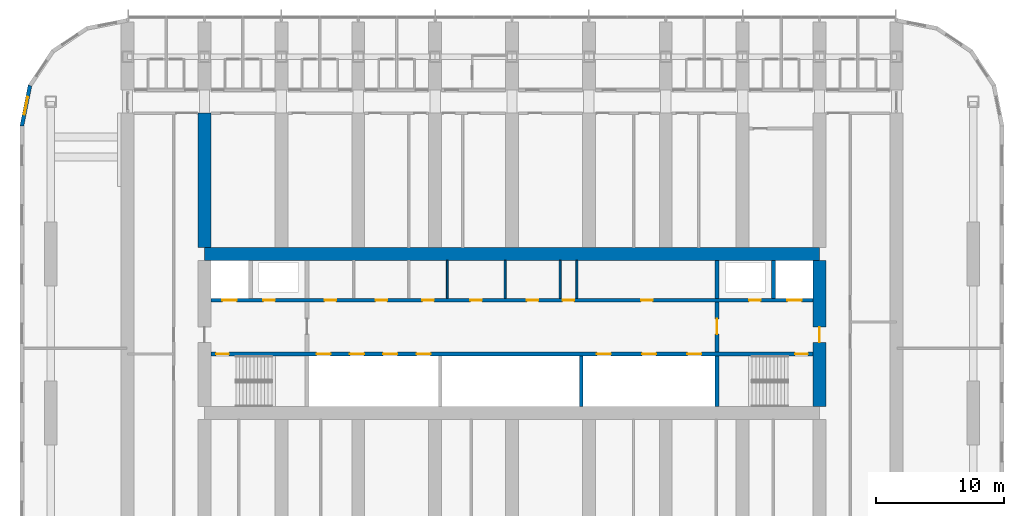
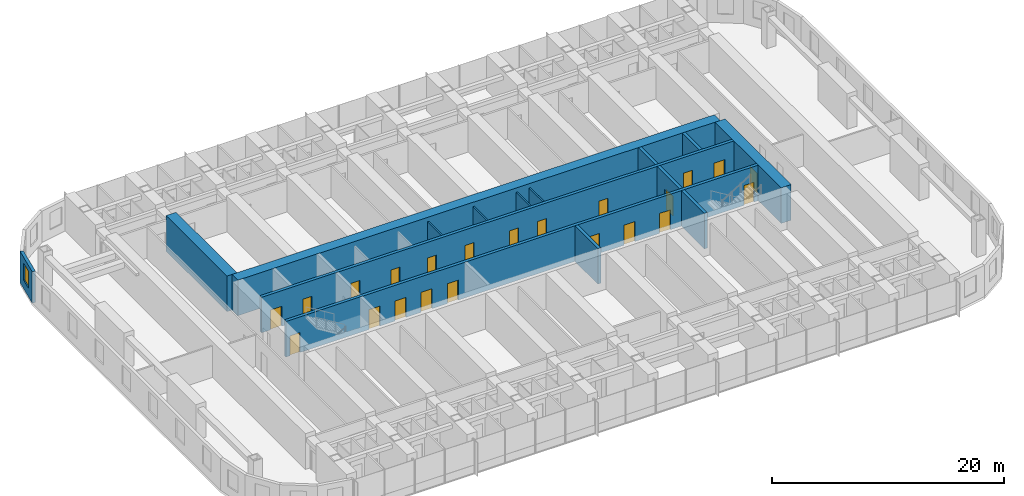
# One storey, part 14 of 24: 22 doors, 15 walls, 1 window, 23 openings.
"""IFC4 building model written with IfcOpenShell, lengths in metres."""

from ifc_helpers import new_model, si_unit, direction, frame, frame_2d, origin, place, context, subcontext, project, spatial, polyline, rectangle, outline, extrude, material, layer, layer_set, type_object, element, fill, save


model = new_model("IFC4")

# Units and contexts
model_context = context("Model", 3, precision=1e-05, world=origin(), true_north=direction((0.0, 1.0)))
body_context = subcontext(model_context, "Body", "Model", "MODEL_VIEW")
ifc_project = project(units=[si_unit("LENGTHUNIT", "METRE"), si_unit("AREAUNIT", "SQUARE_METRE"), si_unit("VOLUMEUNIT", "CUBIC_METRE"), si_unit("PLANEANGLEUNIT", "RADIAN"), si_unit("MASSUNIT", "GRAM", prefix="KILO")], contexts=[model_context])

# Site, building, storey
site_placement = place(None, origin())
site = spatial("IfcSite", under=ifc_project, at=site_placement, CompositionType="ELEMENT")
building_placement = place(site_placement, origin())
building = spatial("IfcBuilding", under=site, at=building_placement, Name="Orbita Commons", CompositionType="ELEMENT")
storey_placement = place(building_placement, frame((0.0, 0.0, 35.199951171875)))
storey = spatial("IfcBuildingStorey", under=building, at=storey_placement, Name="L08", CompositionType="ELEMENT", Elevation=35.199951171875)

# Wall, openings, doors
ifc_material_1 = material(Name="Concrete C50/60", Category="concrete")
ifc_layer_1 = layer(ifc_material_1, 0.300048828125)
ifc_layer_set_1 = layer_set([ifc_layer_1], Name="Concrete C50/60")
wall_type_1 = type_object("IfcWallType", Name="Core inner wall 300 C50/60", PredefinedType="SHEAR", material=ifc_layer_set_1)
wall_1_placement = place(storey_placement, frame((18.5, 30.39990234375, 0.0), z_axis=(0.0, 0.0, 1.0), x_axis=(1.0, 0.0, 0.0)))
wall_1 = element("IfcWall", 1, at=wall_1_placement, inside=storey, type_object=wall_type_1, Name="Lobby wall south L08", PredefinedType="SHEAR", context=body_context, shape_type="SweptSolid", body=[
    extrude(rectangle(XDim=47.0, YDim=0.300048828125, at=frame_2d((23.5, 0.0))), origin(), (0.0, 0.0, 1.0), 3.75),
])
opening_1_placement = place(wall_1_placement, frame((0.39990234375, 0.0, 0.0)))
opening_1 = element("IfcOpeningElement", 2, at=opening_1_placement, cuts=wall_1, Name="Opening D02", PredefinedType="OPENING", context=body_context, shape_type="SweptSolid", body=[
    extrude(rectangle(XDim=1.0, YDim=2.10009765625, at=frame_2d((0.5, 1.050048828125))), frame((0.0, 0.159912109375, 0.0), z_axis=(0.0, -1.0, 0.0), x_axis=(1.0, 0.0, 0.0)), (0.0, 0.0, 1.0), 0.320068359375),
])
opening_2_placement = place(wall_1_placement, frame((45.60009765625, 0.0, 0.0)))
opening_2 = element("IfcOpeningElement", 3, at=opening_2_placement, cuts=wall_1, Name="Opening D02", PredefinedType="OPENING", context=body_context, shape_type="SweptSolid", body=[
    extrude(rectangle(XDim=1.0, YDim=2.10009765625, at=frame_2d((0.5, 1.050048828125))), frame((0.0, 0.159912109375, 0.0), z_axis=(0.0, -1.0, 0.0), x_axis=(1.0, 0.0, 0.0)), (0.0, 0.0, 1.0), 0.320068359375),
])
opening_3_placement = place(wall_1_placement, frame((8.25, 0.0, 0.0)))
opening_3 = element("IfcOpeningElement", 4, at=opening_3_placement, cuts=wall_1, Name="Opening LD02", PredefinedType="OPENING", context=body_context, shape_type="SweptSolid", body=[
    extrude(rectangle(XDim=1.10009765625, YDim=2.10009765625, at=frame_2d((0.550048828125, 1.050048828125))), frame((0.0, 0.159912109375, 0.0), z_axis=(0.0, -1.0, 0.0), x_axis=(1.0, 0.0, 0.0)), (0.0, 0.0, 1.0), 0.320068359375),
])
opening_4_placement = place(wall_1_placement, frame((10.85009765625, 0.0, 0.0)))
opening_4 = element("IfcOpeningElement", 5, at=opening_4_placement, cuts=wall_1, Name="Opening LD02", PredefinedType="OPENING", context=body_context, shape_type="SweptSolid", body=[
    extrude(rectangle(XDim=1.10009765625, YDim=2.10009765625, at=frame_2d((0.550048828125, 1.050048828125))), frame((0.0, 0.159912109375, 0.0), z_axis=(0.0, -1.0, 0.0), x_axis=(1.0, 0.0, 0.0)), (0.0, 0.0, 1.0), 0.320068359375),
])
opening_5_placement = place(wall_1_placement, frame((13.449951171875, 0.0, 0.0)))
opening_5 = element("IfcOpeningElement", 6, at=opening_5_placement, cuts=wall_1, Name="Opening LD02", PredefinedType="OPENING", context=body_context, shape_type="SweptSolid", body=[
    extrude(rectangle(XDim=1.10009765625, YDim=2.10009765625, at=frame_2d((0.550048828125, 1.050048828125))), frame((0.0, 0.159912109375, 0.0), z_axis=(0.0, -1.0, 0.0), x_axis=(1.0, 0.0, 0.0)), (0.0, 0.0, 1.0), 0.320068359375),
])
opening_6_placement = place(wall_1_placement, frame((16.050048828125, 0.0, 0.0)))
opening_6 = element("IfcOpeningElement", 7, at=opening_6_placement, cuts=wall_1, Name="Opening LD02", PredefinedType="OPENING", context=body_context, shape_type="SweptSolid", body=[
    extrude(rectangle(XDim=1.10009765625, YDim=2.10009765625, at=frame_2d((0.550048828125, 1.050048828125))), frame((0.0, 0.159912109375, 0.0), z_axis=(0.0, -1.0, 0.0), x_axis=(1.0, 0.0, 0.0)), (0.0, 0.0, 1.0), 0.320068359375),
])
opening_7_placement = place(wall_1_placement, frame((30.11669921875, 0.0, 0.0)))
opening_7 = element("IfcOpeningElement", 8, at=opening_7_placement, cuts=wall_1, Name="Opening LD02", PredefinedType="OPENING", context=body_context, shape_type="SweptSolid", body=[
    extrude(rectangle(XDim=1.10009765625, YDim=2.10009765625, at=frame_2d((0.550048828125, 1.050048828125))), frame((0.0, 0.159912109375, 0.0), z_axis=(0.0, -1.0, 0.0), x_axis=(1.0, 0.0, 0.0)), (0.0, 0.0, 1.0), 0.320068359375),
])
opening_8_placement = place(wall_1_placement, frame((33.64990234375, 0.0, 0.0)))
opening_8 = element("IfcOpeningElement", 9, at=opening_8_placement, cuts=wall_1, Name="Opening LD02", PredefinedType="OPENING", context=body_context, shape_type="SweptSolid", body=[
    extrude(rectangle(XDim=1.10009765625, YDim=2.10009765625, at=frame_2d((0.550048828125, 1.050048828125))), frame((0.0, 0.159912109375, 0.0), z_axis=(0.0, -1.0, 0.0), x_axis=(1.0, 0.0, 0.0)), (0.0, 0.0, 1.0), 0.320068359375),
])
opening_9_placement = place(wall_1_placement, frame((37.183349609375, 0.0, 0.0)))
opening_9 = element("IfcOpeningElement", 10, at=opening_9_placement, cuts=wall_1, Name="Opening LD02", PredefinedType="OPENING", context=body_context, shape_type="SweptSolid", body=[
    extrude(rectangle(XDim=1.10009765625, YDim=2.10009765625, at=frame_2d((0.550048828125, 1.050048828125))), frame((0.0, 0.159912109375, 0.0), z_axis=(0.0, -1.0, 0.0), x_axis=(1.0, 0.0, 0.0)), (0.0, 0.0, 1.0), 0.320068359375),
])
ifc_material_2 = material(Name="Steel-faced fire door leaf", Category="steel")
door_type_1 = type_object("IfcDoorType", Name="Fire door 90 min 1000x2100", OperationType="SINGLE_SWING_LEFT", PredefinedType="DOOR", material=ifc_material_2)
door_1_placement = place(opening_1_placement, origin())
door_1 = element("IfcDoor", 11, at=door_1_placement, inside=storey, type_object=door_type_1, Name="Stair S1 door", OperationType="SINGLE_SWING_LEFT", OverallHeight=2.10009765625, OverallWidth=1.0, PredefinedType="DOOR", context=body_context, shape_type="SweptSolid", body=[
    extrude(rectangle(XDim=1.0, YDim=2.10009765625, at=frame_2d((0.5, 1.050048828125))), frame((0.0, 0.02490234375, 0.0), z_axis=(0.0, -1.0, 0.0), x_axis=(1.0, 0.0, 0.0)), (0.0, 0.0, 1.0), 0.050048828125),
])
fill(opening_1, door_1)
door_2_placement = place(opening_2_placement, origin())
door_2 = element("IfcDoor", 12, at=door_2_placement, inside=storey, type_object=door_type_1, Name="Stair S2 door", OperationType="SINGLE_SWING_LEFT", OverallHeight=2.10009765625, OverallWidth=1.0, PredefinedType="DOOR", context=body_context, shape_type="SweptSolid", body=[
    extrude(rectangle(XDim=1.0, YDim=2.10009765625, at=frame_2d((0.5, 1.050048828125))), frame((0.0, 0.02490234375, 0.0), z_axis=(0.0, -1.0, 0.0), x_axis=(1.0, 0.0, 0.0)), (0.0, 0.0, 1.0), 0.050048828125),
])
fill(opening_2, door_2)
ifc_material_3 = material(Name="Steel-faced fire door leaf", Category="steel")
door_type_2 = type_object("IfcDoorType", Name="Lift landing door 1100x2100", OperationType="DOUBLE_DOOR_SLIDING", PredefinedType="DOOR", material=ifc_material_3)
door_3_placement = place(opening_3_placement, origin())
door_3 = element("IfcDoor", 13, at=door_3_placement, inside=storey, type_object=door_type_2, Name="Lift P11 landing door", OperationType="DOUBLE_DOOR_SLIDING", OverallHeight=2.10009765625, OverallWidth=1.10009765625, PredefinedType="DOOR", context=body_context, shape_type="SweptSolid", body=[
    extrude(rectangle(XDim=1.10009765625, YDim=2.10009765625, at=frame_2d((0.550048828125, 1.050048828125))), frame((0.0, 0.02490234375, 0.0), z_axis=(0.0, -1.0, 0.0), x_axis=(1.0, 0.0, 0.0)), (0.0, 0.0, 1.0), 0.050048828125),
])
fill(opening_3, door_3)
door_4_placement = place(opening_4_placement, origin())
door_4 = element("IfcDoor", 14, at=door_4_placement, inside=storey, type_object=door_type_2, Name="Lift P12 landing door", OperationType="DOUBLE_DOOR_SLIDING", OverallHeight=2.10009765625, OverallWidth=1.10009765625, PredefinedType="DOOR", context=body_context, shape_type="SweptSolid", body=[
    extrude(rectangle(XDim=1.10009765625, YDim=2.10009765625, at=frame_2d((0.550048828125, 1.050048828125))), frame((0.0, 0.02490234375, 0.0), z_axis=(0.0, -1.0, 0.0), x_axis=(1.0, 0.0, 0.0)), (0.0, 0.0, 1.0), 0.050048828125),
])
fill(opening_4, door_4)
door_5_placement = place(opening_5_placement, origin())
door_5 = element("IfcDoor", 15, at=door_5_placement, inside=storey, type_object=door_type_2, Name="Lift P13 landing door", OperationType="DOUBLE_DOOR_SLIDING", OverallHeight=2.10009765625, OverallWidth=1.10009765625, PredefinedType="DOOR", context=body_context, shape_type="SweptSolid", body=[
    extrude(rectangle(XDim=1.10009765625, YDim=2.10009765625, at=frame_2d((0.550048828125, 1.050048828125))), frame((0.0, 0.02490234375, 0.0), z_axis=(0.0, -1.0, 0.0), x_axis=(1.0, 0.0, 0.0)), (0.0, 0.0, 1.0), 0.050048828125),
])
fill(opening_5, door_5)
door_6_placement = place(opening_6_placement, origin())
door_6 = element("IfcDoor", 16, at=door_6_placement, inside=storey, type_object=door_type_2, Name="Lift P14 landing door", OperationType="DOUBLE_DOOR_SLIDING", OverallHeight=2.10009765625, OverallWidth=1.10009765625, PredefinedType="DOOR", context=body_context, shape_type="SweptSolid", body=[
    extrude(rectangle(XDim=1.10009765625, YDim=2.10009765625, at=frame_2d((0.550048828125, 1.050048828125))), frame((0.0, 0.02490234375, 0.0), z_axis=(0.0, -1.0, 0.0), x_axis=(1.0, 0.0, 0.0)), (0.0, 0.0, 1.0), 0.050048828125),
])
fill(opening_6, door_6)
door_7_placement = place(opening_7_placement, origin())
door_7 = element("IfcDoor", 17, at=door_7_placement, inside=storey, type_object=door_type_2, Name="Lift SV1 landing door", OperationType="DOUBLE_DOOR_SLIDING", OverallHeight=2.10009765625, OverallWidth=1.10009765625, PredefinedType="DOOR", context=body_context, shape_type="SweptSolid", body=[
    extrude(rectangle(XDim=1.10009765625, YDim=2.10009765625, at=frame_2d((0.550048828125, 1.050048828125))), frame((0.0, 0.02490234375, 0.0), z_axis=(0.0, -1.0, 0.0), x_axis=(1.0, 0.0, 0.0)), (0.0, 0.0, 1.0), 0.050048828125),
])
fill(opening_7, door_7)
door_8_placement = place(opening_8_placement, origin())
door_8 = element("IfcDoor", 18, at=door_8_placement, inside=storey, type_object=door_type_2, Name="Lift SV2 landing door", OperationType="DOUBLE_DOOR_SLIDING", OverallHeight=2.10009765625, OverallWidth=1.10009765625, PredefinedType="DOOR", context=body_context, shape_type="SweptSolid", body=[
    extrude(rectangle(XDim=1.10009765625, YDim=2.10009765625, at=frame_2d((0.550048828125, 1.050048828125))), frame((0.0, 0.02490234375, 0.0), z_axis=(0.0, -1.0, 0.0), x_axis=(1.0, 0.0, 0.0)), (0.0, 0.0, 1.0), 0.050048828125),
])
fill(opening_8, door_8)
door_9_placement = place(opening_9_placement, origin())
door_9 = element("IfcDoor", 19, at=door_9_placement, inside=storey, type_object=door_type_2, Name="Lift SV3 landing door", OperationType="DOUBLE_DOOR_SLIDING", OverallHeight=2.10009765625, OverallWidth=1.10009765625, PredefinedType="DOOR", context=body_context, shape_type="SweptSolid", body=[
    extrude(rectangle(XDim=1.10009765625, YDim=2.10009765625, at=frame_2d((0.550048828125, 1.050048828125))), frame((0.0, 0.02490234375, 0.0), z_axis=(0.0, -1.0, 0.0), x_axis=(1.0, 0.0, 0.0)), (0.0, 0.0, 1.0), 0.050048828125),
])
fill(opening_9, door_9)

wall_2_placement = place(storey_placement, frame((18.5, 34.60009765625, 0.0), z_axis=(0.0, 0.0, 1.0), x_axis=(1.0, 0.0, 0.0)))
wall_2 = element("IfcWall", 20, at=wall_2_placement, inside=storey, type_object=wall_type_1, Name="Lobby wall north L08", PredefinedType="SHEAR", context=body_context, shape_type="SweptSolid", body=[
    extrude(rectangle(XDim=47.0, YDim=0.300048828125, at=frame_2d((23.5, 0.0))), origin(), (0.0, 0.0, 1.0), 3.75),
])
opening_10_placement = place(wall_2_placement, frame((0.89990234375, 0.0, 0.0)))
opening_10 = element("IfcOpeningElement", 21, at=opening_10_placement, cuts=wall_2, Name="Opening LD01", PredefinedType="OPENING", context=body_context, shape_type="SweptSolid", body=[
    extrude(rectangle(XDim=1.10009765625, YDim=2.10009765625, at=frame_2d((0.550048828125, 1.050048828125))), frame((0.0, 0.159912109375, 0.0), z_axis=(0.0, -1.0, 0.0), x_axis=(1.0, 0.0, 0.0)), (0.0, 0.0, 1.0), 0.320068359375),
])
opening_11_placement = place(wall_2_placement, frame((45.0, 0.0, 0.0)))
opening_11 = element("IfcOpeningElement", 22, at=opening_11_placement, cuts=wall_2, Name="Opening LD01", PredefinedType="OPENING", context=body_context, shape_type="SweptSolid", body=[
    extrude(rectangle(XDim=1.10009765625, YDim=2.10009765625, at=frame_2d((0.550048828125, 1.050048828125))), frame((0.0, 0.159912109375, 0.0), z_axis=(0.0, -1.0, 0.0), x_axis=(1.0, 0.0, 0.0)), (0.0, 0.0, 1.0), 0.320068359375),
])
opening_12_placement = place(wall_2_placement, frame((4.10009765625, 0.0, 0.0)))
opening_12 = element("IfcOpeningElement", 23, at=opening_12_placement, cuts=wall_2, Name="Opening D03", PredefinedType="OPENING", context=body_context, shape_type="SweptSolid", body=[
    extrude(rectangle(XDim=0.89990234375, YDim=2.10009765625, at=frame_2d((0.449951171875, 1.050048828125))), frame((0.0, 0.159912109375, 0.0), z_axis=(0.0, -1.0, 0.0), x_axis=(1.0, 0.0, 0.0)), (0.0, 0.0, 1.0), 0.320068359375),
])
opening_13_placement = place(wall_2_placement, frame((42.0, 0.0, 0.0)))
opening_13 = element("IfcOpeningElement", 24, at=opening_13_placement, cuts=wall_2, Name="Opening D03", PredefinedType="OPENING", context=body_context, shape_type="SweptSolid", body=[
    extrude(rectangle(XDim=0.89990234375, YDim=2.10009765625, at=frame_2d((0.449951171875, 1.050048828125))), frame((0.0, 0.159912109375, 0.0), z_axis=(0.0, -1.0, 0.0), x_axis=(1.0, 0.0, 0.0)), (0.0, 0.0, 1.0), 0.320068359375),
])
opening_14_placement = place(wall_2_placement, frame((8.87548828125, 0.0, 0.0)))
opening_14 = element("IfcOpeningElement", 25, at=opening_14_placement, cuts=wall_2, Name="Opening D05", PredefinedType="OPENING", context=body_context, shape_type="SweptSolid", body=[
    extrude(rectangle(XDim=0.89990234375, YDim=2.10009765625, at=frame_2d((0.449951171875, 1.050048828125))), frame((0.0, 0.159912109375, 0.0), z_axis=(0.0, -1.0, 0.0), x_axis=(1.0, 0.0, 0.0)), (0.0, 0.0, 1.0), 0.320068359375),
])
opening_15_placement = place(wall_2_placement, frame((12.8486328125, 0.0, 0.0)))
opening_15 = element("IfcOpeningElement", 26, at=opening_15_placement, cuts=wall_2, Name="Opening D03", PredefinedType="OPENING", context=body_context, shape_type="SweptSolid", body=[
    extrude(rectangle(XDim=0.89990234375, YDim=2.10009765625, at=frame_2d((0.449951171875, 1.050048828125))), frame((0.0, 0.159912109375, 0.0), z_axis=(0.0, -1.0, 0.0), x_axis=(1.0, 0.0, 0.0)), (0.0, 0.0, 1.0), 0.320068359375),
])
opening_16_placement = place(wall_2_placement, frame((16.496337890625, 0.0, 0.0)))
opening_16 = element("IfcOpeningElement", 27, at=opening_16_placement, cuts=wall_2, Name="Opening D03", PredefinedType="OPENING", context=body_context, shape_type="SweptSolid", body=[
    extrude(rectangle(XDim=0.89990234375, YDim=2.10009765625, at=frame_2d((0.449951171875, 1.050048828125))), frame((0.0, 0.159912109375, 0.0), z_axis=(0.0, -1.0, 0.0), x_axis=(1.0, 0.0, 0.0)), (0.0, 0.0, 1.0), 0.320068359375),
])
opening_17_placement = place(wall_2_placement, frame((20.254638671875, 0.0, 0.0)))
opening_17 = element("IfcOpeningElement", 28, at=opening_17_placement, cuts=wall_2, Name="Opening D05", PredefinedType="OPENING", context=body_context, shape_type="SweptSolid", body=[
    extrude(rectangle(XDim=0.89990234375, YDim=2.10009765625, at=frame_2d((0.449951171875, 1.050048828125))), frame((0.0, 0.159912109375, 0.0), z_axis=(0.0, -1.0, 0.0), x_axis=(1.0, 0.0, 0.0)), (0.0, 0.0, 1.0), 0.320068359375),
])
opening_18_placement = place(wall_2_placement, frame((24.66064453125, 0.0, 0.0)))
opening_18 = element("IfcOpeningElement", 29, at=opening_18_placement, cuts=wall_2, Name="Opening D03", PredefinedType="OPENING", context=body_context, shape_type="SweptSolid", body=[
    extrude(rectangle(XDim=0.89990234375, YDim=2.10009765625, at=frame_2d((0.449951171875, 1.050048828125))), frame((0.0, 0.159912109375, 0.0), z_axis=(0.0, -1.0, 0.0), x_axis=(1.0, 0.0, 0.0)), (0.0, 0.0, 1.0), 0.320068359375),
])
opening_19_placement = place(wall_2_placement, frame((27.45849609375, 0.0, 0.0)))
opening_19 = element("IfcOpeningElement", 30, at=opening_19_placement, cuts=wall_2, Name="Opening D03", PredefinedType="OPENING", context=body_context, shape_type="SweptSolid", body=[
    extrude(rectangle(XDim=0.89990234375, YDim=2.10009765625, at=frame_2d((0.449951171875, 1.050048828125))), frame((0.0, 0.159912109375, 0.0), z_axis=(0.0, -1.0, 0.0), x_axis=(1.0, 0.0, 0.0)), (0.0, 0.0, 1.0), 0.320068359375),
])
opening_20_placement = place(wall_2_placement, frame((33.5791015625, 0.0, 0.0)))
opening_20 = element("IfcOpeningElement", 31, at=opening_20_placement, cuts=wall_2, Name="Opening D03", PredefinedType="OPENING", context=body_context, shape_type="SweptSolid", body=[
    extrude(rectangle(XDim=0.89990234375, YDim=2.10009765625, at=frame_2d((0.449951171875, 1.050048828125))), frame((0.0, 0.159912109375, 0.0), z_axis=(0.0, -1.0, 0.0), x_axis=(1.0, 0.0, 0.0)), (0.0, 0.0, 1.0), 0.320068359375),
])
ifc_material_4 = material(Name="Steel-faced fire door leaf", Category="steel")
door_type_3 = type_object("IfcDoorType", Name="Firefighting lift landing door 1100x2100", OperationType="DOUBLE_DOOR_SLIDING", PredefinedType="DOOR", material=ifc_material_4)
door_10_placement = place(opening_10_placement, origin())
door_10 = element("IfcDoor", 32, at=door_10_placement, inside=storey, type_object=door_type_3, Name="Firefighting lift FL1 landing door", OperationType="DOUBLE_DOOR_SLIDING", OverallHeight=2.10009765625, OverallWidth=1.10009765625, PredefinedType="DOOR", context=body_context, shape_type="SweptSolid", body=[
    extrude(rectangle(XDim=1.10009765625, YDim=2.10009765625, at=frame_2d((0.550048828125, 1.050048828125))), frame((0.0, 0.02490234375, 0.0), z_axis=(0.0, -1.0, 0.0), x_axis=(1.0, 0.0, 0.0)), (0.0, 0.0, 1.0), 0.050048828125),
])
fill(opening_10, door_10)
door_11_placement = place(opening_11_placement, origin())
door_11 = element("IfcDoor", 33, at=door_11_placement, inside=storey, type_object=door_type_3, Name="Firefighting lift FL2 landing door", OperationType="DOUBLE_DOOR_SLIDING", OverallHeight=2.10009765625, OverallWidth=1.10009765625, PredefinedType="DOOR", context=body_context, shape_type="SweptSolid", body=[
    extrude(rectangle(XDim=1.10009765625, YDim=2.10009765625, at=frame_2d((0.550048828125, 1.050048828125))), frame((0.0, 0.02490234375, 0.0), z_axis=(0.0, -1.0, 0.0), x_axis=(1.0, 0.0, 0.0)), (0.0, 0.0, 1.0), 0.050048828125),
])
fill(opening_11, door_11)
ifc_material_5 = material(Name="Steel-faced fire door leaf", Category="steel")
door_type_4 = type_object("IfcDoorType", Name="Service door 20 min 900x2100", OperationType="SINGLE_SWING_LEFT", PredefinedType="DOOR", material=ifc_material_5)
door_12_placement = place(opening_14_placement, origin())
door_12 = element("IfcDoor", 34, at=door_12_placement, inside=storey, type_object=door_type_4, Name="Staff WC door", OperationType="SINGLE_SWING_LEFT", OverallHeight=2.10009765625, OverallWidth=0.89990234375, PredefinedType="DOOR", context=body_context, shape_type="SweptSolid", body=[
    extrude(rectangle(XDim=0.89990234375, YDim=2.10009765625, at=frame_2d((0.449951171875, 1.050048828125))), frame((0.0, 0.02490234375, 0.0), z_axis=(0.0, -1.0, 0.0), x_axis=(1.0, 0.0, 0.0)), (0.0, 0.0, 1.0), 0.050048828125),
])
fill(opening_14, door_12)
door_13_placement = place(opening_17_placement, origin())
door_13 = element("IfcDoor", 35, at=door_13_placement, inside=storey, type_object=door_type_4, Name="Accessible WC door", OperationType="SINGLE_SWING_LEFT", OverallHeight=2.10009765625, OverallWidth=0.89990234375, PredefinedType="DOOR", context=body_context, shape_type="SweptSolid", body=[
    extrude(rectangle(XDim=0.89990234375, YDim=2.10009765625, at=frame_2d((0.449951171875, 1.050048828125))), frame((0.0, 0.02490234375, 0.0), z_axis=(0.0, -1.0, 0.0), x_axis=(1.0, 0.0, 0.0)), (0.0, 0.0, 1.0), 0.050048828125),
])
fill(opening_17, door_13)
ifc_material_6 = material(Name="Steel-faced fire door leaf", Category="steel")
door_type_5 = type_object("IfcDoorType", Name="Shaft access door 90 min 900x2100", OperationType="SINGLE_SWING_LEFT", PredefinedType="DOOR", material=ifc_material_6)
door_14_placement = place(opening_12_placement, origin())
door_14 = element("IfcDoor", 36, at=door_14_placement, inside=storey, type_object=door_type_5, Name="Riser door west", OperationType="SINGLE_SWING_LEFT", OverallHeight=2.10009765625, OverallWidth=0.89990234375, PredefinedType="DOOR", context=body_context, shape_type="SweptSolid", body=[
    extrude(rectangle(XDim=0.89990234375, YDim=2.10009765625, at=frame_2d((0.449951171875, 1.050048828125))), frame((0.0, 0.02490234375, 0.0), z_axis=(0.0, -1.0, 0.0), x_axis=(1.0, 0.0, 0.0)), (0.0, 0.0, 1.0), 0.050048828125),
])
fill(opening_12, door_14)
door_15_placement = place(opening_13_placement, origin())
door_15 = element("IfcDoor", 37, at=door_15_placement, inside=storey, type_object=door_type_5, Name="Riser door east", OperationType="SINGLE_SWING_LEFT", OverallHeight=2.10009765625, OverallWidth=0.89990234375, PredefinedType="DOOR", context=body_context, shape_type="SweptSolid", body=[
    extrude(rectangle(XDim=0.89990234375, YDim=2.10009765625, at=frame_2d((0.449951171875, 1.050048828125))), frame((0.0, 0.02490234375, 0.0), z_axis=(0.0, -1.0, 0.0), x_axis=(1.0, 0.0, 0.0)), (0.0, 0.0, 1.0), 0.050048828125),
])
fill(opening_13, door_15)
door_16_placement = place(opening_15_placement, origin())
door_16 = element("IfcDoor", 38, at=door_16_placement, inside=storey, type_object=door_type_5, Name="Refuse chute room door", OperationType="SINGLE_SWING_LEFT", OverallHeight=2.10009765625, OverallWidth=0.89990234375, PredefinedType="DOOR", context=body_context, shape_type="SweptSolid", body=[
    extrude(rectangle(XDim=0.89990234375, YDim=2.10009765625, at=frame_2d((0.449951171875, 1.050048828125))), frame((0.0, 0.02490234375, 0.0), z_axis=(0.0, -1.0, 0.0), x_axis=(1.0, 0.0, 0.0)), (0.0, 0.0, 1.0), 0.050048828125),
])
fill(opening_15, door_16)
door_17_placement = place(opening_16_placement, origin())
door_17 = element("IfcDoor", 39, at=door_17_placement, inside=storey, type_object=door_type_5, Name="Electrical riser room door", OperationType="SINGLE_SWING_LEFT", OverallHeight=2.10009765625, OverallWidth=0.89990234375, PredefinedType="DOOR", context=body_context, shape_type="SweptSolid", body=[
    extrude(rectangle(XDim=0.89990234375, YDim=2.10009765625, at=frame_2d((0.449951171875, 1.050048828125))), frame((0.0, 0.02490234375, 0.0), z_axis=(0.0, -1.0, 0.0), x_axis=(1.0, 0.0, 0.0)), (0.0, 0.0, 1.0), 0.050048828125),
])
fill(opening_16, door_17)
door_18_placement = place(opening_18_placement, origin())
door_18 = element("IfcDoor", 40, at=door_18_placement, inside=storey, type_object=door_type_5, Name="Communications room door", OperationType="SINGLE_SWING_LEFT", OverallHeight=2.10009765625, OverallWidth=0.89990234375, PredefinedType="DOOR", context=body_context, shape_type="SweptSolid", body=[
    extrude(rectangle(XDim=0.89990234375, YDim=2.10009765625, at=frame_2d((0.449951171875, 1.050048828125))), frame((0.0, 0.02490234375, 0.0), z_axis=(0.0, -1.0, 0.0), x_axis=(1.0, 0.0, 0.0)), (0.0, 0.0, 1.0), 0.050048828125),
])
fill(opening_18, door_18)
door_19_placement = place(opening_19_placement, origin())
door_19 = element("IfcDoor", 41, at=door_19_placement, inside=storey, type_object=door_type_5, Name="Stair pressurisation duct door", OperationType="SINGLE_SWING_LEFT", OverallHeight=2.10009765625, OverallWidth=0.89990234375, PredefinedType="DOOR", context=body_context, shape_type="SweptSolid", body=[
    extrude(rectangle(XDim=0.89990234375, YDim=2.10009765625, at=frame_2d((0.449951171875, 1.050048828125))), frame((0.0, 0.02490234375, 0.0), z_axis=(0.0, -1.0, 0.0), x_axis=(1.0, 0.0, 0.0)), (0.0, 0.0, 1.0), 0.050048828125),
])
fill(opening_19, door_19)
door_20_placement = place(opening_20_placement, origin())
door_20 = element("IfcDoor", 42, at=door_20_placement, inside=storey, type_object=door_type_5, Name="Linen and housekeeping store door", OperationType="SINGLE_SWING_LEFT", OverallHeight=2.10009765625, OverallWidth=0.89990234375, PredefinedType="DOOR", context=body_context, shape_type="SweptSolid", body=[
    extrude(rectangle(XDim=0.89990234375, YDim=2.10009765625, at=frame_2d((0.449951171875, 1.050048828125))), frame((0.0, 0.02490234375, 0.0), z_axis=(0.0, -1.0, 0.0), x_axis=(1.0, 0.0, 0.0)), (0.0, 0.0, 1.0), 0.050048828125),
])
fill(opening_20, door_20)

# Wall
wall_3_placement = place(storey_placement, frame((58.0, 26.300048828125, 0.0), z_axis=(0.0, 0.0, 1.0), x_axis=(0.0, 1.0, 0.0)))
element("IfcWall", 43, at=wall_3_placement, inside=storey, type_object=wall_type_1, Name="Stair S2 wall L08", PredefinedType="SHEAR", context=body_context, shape_type="SweptSolid", body=[
    extrude(rectangle(XDim=3.949951171875, YDim=0.300048828125, at=frame_2d((1.97509765625, 0.0))), origin(), (0.0, 0.0, 1.0), 3.75),
])

# Wall, opening, door
wall_4_placement = place(storey_placement, frame((58.0, 30.550048828125, 0.0), z_axis=(0.0, 0.0, 1.0), x_axis=(0.0, 1.0, 0.0)))
wall_4 = element("IfcWall", 44, at=wall_4_placement, inside=storey, type_object=wall_type_1, Name="Firefighting lobby wall east L08", PredefinedType="SHEAR", context=body_context, shape_type="SweptSolid", body=[
    extrude(rectangle(XDim=3.89990234375, YDim=0.300048828125, at=frame_2d((1.949951171875, 0.0))), origin(), (0.0, 0.0, 1.0), 3.75),
])
opening_21_placement = place(wall_4_placement, frame((1.39990234375, 0.0, 0.0)))
opening_21 = element("IfcOpeningElement", 45, at=opening_21_placement, cuts=wall_4, Name="Opening D04", PredefinedType="OPENING", context=body_context, shape_type="SweptSolid", body=[
    extrude(rectangle(XDim=1.199951171875, YDim=2.10009765625, at=frame_2d((0.60009765625, 1.050048828125))), frame((0.0, 0.159912109375, 0.0), z_axis=(0.0, -1.0, 0.0), x_axis=(1.0, 0.0, 0.0)), (0.0, 0.0, 1.0), 0.320068359375),
])
ifc_material_7 = material(Name="Steel-faced fire door leaf", Category="steel")
door_type_6 = type_object("IfcDoorType", Name="Service door 20 min 1200x2100", OperationType="SINGLE_SWING_LEFT", PredefinedType="DOOR", material=ifc_material_7)
door_21_placement = place(opening_21_placement, origin())
door_21 = element("IfcDoor", 46, at=door_21_placement, inside=storey, type_object=door_type_6, Name="Lift lobby door east", OperationType="SINGLE_SWING_LEFT", OverallHeight=2.10009765625, OverallWidth=1.199951171875, PredefinedType="DOOR", context=body_context, shape_type="SweptSolid", body=[
    extrude(rectangle(XDim=1.199951171875, YDim=2.10009765625, at=frame_2d((0.60009765625, 1.050048828125))), frame((0.0, 0.02490234375, 0.0), z_axis=(0.0, -1.0, 0.0), x_axis=(1.0, 0.0, 0.0)), (0.0, 0.0, 1.0), 0.050048828125),
])
fill(opening_21, door_21)

# Walls
for number, where, z_axis, x_axis, name in (
    (47, (62.39990234375, 34.75, 0.0), (0.0, 0.0, 1.0), (0.0, 1.0, 0.0), "Firefighting lift FL2 shaft wall L08"),
    (48, (58.0, 34.75, 0.0), (0.0, 0.0, 1.0), (0.0, 1.0, 0.0), "Riser wall east L08"),
):
    element("IfcWall", number, at=place(storey_placement, frame(where, z_axis=z_axis, x_axis=x_axis)), inside=storey, type_object=wall_type_1, Name=name, PredefinedType="SHEAR", context=body_context, shape_type="SweptSolid", body=[
        extrude(rectangle(XDim=2.949951171875, YDim=0.300048828125, at=frame_2d((1.47509765625, 0.0))), origin(), (0.0, 0.0, 1.0), 3.75),
    ])
wall_5_placement = place(storey_placement, frame((47.39990234375, 26.300048828125, 0.0), z_axis=(0.0, 0.0, 1.0), x_axis=(0.0, 1.0, 0.0)))
element("IfcWall", 49, at=wall_5_placement, inside=storey, type_object=wall_type_1, Name="Hoistway division wall L08", PredefinedType="SHEAR", context=body_context, shape_type="SweptSolid", body=[
    extrude(rectangle(XDim=3.949951171875, YDim=0.300048828125, at=frame_2d((1.97509765625, 0.0))), origin(), (0.0, 0.0, 1.0), 3.75),
])
ifc_material_8 = material(Name="Concrete blockwork", Category="masonry")
ifc_layer_2 = layer(ifc_material_8, 0.14990234375)
ifc_layer_set_2 = layer_set([ifc_layer_2], Name="Concrete blockwork")
wall_type_2 = type_object("IfcWallType", Name="Core partition 150 blockwork", PredefinedType="SOLIDWALL", material=ifc_layer_set_2)
for number, where, z_axis, x_axis, name in (
    (50, (36.9462890625, 34.75, 0.0), (0.0, 0.0, 1.0), (0.0, 1.0, 0.0), "Core partition 150 blockwork L08"),
    (51, (41.463134765625, 34.75, 0.0), (0.0, 0.0, 1.0), (0.0, 1.0, 0.0), "Core partition 150 blockwork L08"),
    (52, (45.75830078125, 34.75, 0.0), (0.0, 0.0, 1.0), (0.0, 1.0, 0.0), "Core partition 150 blockwork L08"),
    (53, (47.058349609375, 34.75, 0.0), (0.0, 0.0, 1.0), (0.0, 1.0, 0.0), "Core partition 150 blockwork L08"),
):
    element("IfcWall", number, at=place(storey_placement, frame(where, z_axis=z_axis, x_axis=x_axis)), inside=storey, type_object=wall_type_2, Name=name, PredefinedType="SOLIDWALL", context=body_context, shape_type="SweptSolid", body=[
        extrude(rectangle(XDim=2.949951171875, YDim=0.14990234375, at=frame_2d((1.47509765625, 0.0))), origin(), (0.0, 0.0, 1.0), 3.300048828125),
    ])
ifc_material_9 = material(Name="Concrete C50/60", Category="concrete")
ifc_layer_3 = layer(ifc_material_9, 1.0)
ifc_layer_set_3 = layer_set([ifc_layer_3], Name="Concrete C50/60")
wall_type_3 = type_object("IfcWallType", Name="Core wall 1000 C50/60", PredefinedType="SHEAR", material=ifc_layer_set_3)
wall_6_placement = place(storey_placement, frame((18.0, 38.199951171875, 0.0), z_axis=(0.0, 0.0, 1.0), x_axis=(1.0, 0.0, 0.0)))
element("IfcWall", 54, at=wall_6_placement, inside=storey, type_object=wall_type_3, Name="Core spine wall north L08", PredefinedType="SHEAR", context=body_context, shape_type="SweptSolid", body=[
    extrude(rectangle(XDim=48.0, YDim=1.0, at=frame_2d((24.0, 0.0))), origin(), (0.0, 0.0, 1.0), 3.75),
])

# Wall, opening, door
wall_7_placement = place(storey_placement, frame((66.0, 26.300048828125, 0.0), z_axis=(0.0, 0.0, 1.0), x_axis=(0.0, 1.0, 0.0)))
wall_7 = element("IfcWall", 55, at=wall_7_placement, inside=storey, type_object=wall_type_3, Name="Core end wall east L08", PredefinedType="SHEAR", context=body_context, shape_type="SweptSolid", body=[
    extrude(rectangle(XDim=11.39990234375, YDim=1.0, at=frame_2d((5.699951171875, 0.0))), origin(), (0.0, 0.0, 1.0), 3.75),
])
opening_22_placement = place(wall_7_placement, frame((5.0, 0.0, 0.0)))
opening_22 = element("IfcOpeningElement", 56, at=opening_22_placement, cuts=wall_7, Name="Opening D01", PredefinedType="OPENING", context=body_context, shape_type="SweptSolid", body=[
    extrude(rectangle(XDim=1.199951171875, YDim=2.10009765625, at=frame_2d((0.60009765625, 1.050048828125))), frame((0.0, 0.510009765625, 0.0), z_axis=(0.0, -1.0, 0.0), x_axis=(1.0, 0.0, 0.0)), (0.0, 0.0, 1.0), 1.02001953125),
])
ifc_material_10 = material(Name="Steel-faced fire door leaf", Category="steel")
door_type_7 = type_object("IfcDoorType", Name="Fire door 90 min 1200x2100", OperationType="SINGLE_SWING_LEFT", PredefinedType="DOOR", material=ifc_material_10)
door_22_placement = place(opening_22_placement, origin())
door_22 = element("IfcDoor", 57, at=door_22_placement, inside=storey, type_object=door_type_7, Name="Firefighting lobby east door", OperationType="SINGLE_SWING_LEFT", OverallHeight=2.10009765625, OverallWidth=1.199951171875, PredefinedType="DOOR", context=body_context, shape_type="SweptSolid", body=[
    extrude(rectangle(XDim=1.199951171875, YDim=2.10009765625, at=frame_2d((0.60009765625, 1.050048828125))), frame((0.0, 0.02490234375, 0.0), z_axis=(0.0, -1.0, 0.0), x_axis=(1.0, 0.0, 0.0)), (0.0, 0.0, 1.0), 0.050048828125),
])
fill(opening_22, door_22)

# Wall
ifc_material_11 = material(Name="Concrete C50/60", Category="concrete")
ifc_layer_4 = layer(ifc_material_11, 1.0)
ifc_layer_set_4 = layer_set([ifc_layer_4], Name="Concrete C50/60")
wall_type_4 = type_object("IfcWallType", Name="Cross wall 1000 C50/60", PredefinedType="SHEAR", material=ifc_layer_set_4)
wall_8_placement = place(storey_placement, frame((18.0, 38.699951171875, 0.0), z_axis=(0.0, 0.0, 1.0), x_axis=(0.0, 1.0, 0.0)))
element("IfcWall", 58, at=wall_8_placement, inside=storey, type_object=wall_type_4, Name="Cross wall 4 north inner L08", PredefinedType="SHEAR", context=body_context, shape_type="SweptSolid", body=[
    extrude(rectangle(XDim=10.5, YDim=1.0, at=frame_2d((5.25, 0.0))), origin(), (0.0, 0.0, 1.0), 3.75),
])

# Wall, opening, window
ifc_material_12 = material(Name="Precast concrete C40/50, white board-marked finish", Category="concrete")
ifc_layer_5 = layer(ifc_material_12, 0.300048828125)
ifc_layer_set_5 = layer_set([ifc_layer_5], Name="Precast concrete C40/50, white board-marked finish")
wall_type_5 = type_object("IfcWallType", Name="Precast concrete end shield 300", PredefinedType="SOLIDWALL", material=ifc_layer_set_5)
wall_9_placement = place(storey_placement, frame((4.3779296875, 51.357177734375, 0.0), z_axis=(0.0, 0.0, 1.0), x_axis=(-0.195065901187, -0.980790137692, 0.0)))
wall_9 = element("IfcWall", 59, at=wall_9_placement, inside=storey, type_object=wall_type_5, Name="End shield NW chord 4 L08", PredefinedType="SOLIDWALL", context=body_context, shape_type="SweptSolid", body=[
    extrude(outline(polyline([(-0.02978515625, -0.14990234375), (3.23388671875, -0.14990234375), (3.2041015625, 0.14990234375), (0.02978515625, 0.14990234375), (-0.02978515625, -0.14990234375)])), origin(), (0.0, 0.0, 1.0), 3.300048828125),
])
opening_23_placement = place(wall_9_placement, frame((0.909423828125, 0.0, 0.89990234375)))
opening_23 = element("IfcOpeningElement", 60, at=opening_23_placement, cuts=wall_9, Name="Opening W02", PredefinedType="OPENING", context=body_context, shape_type="SweptSolid", body=[
    extrude(rectangle(XDim=1.39990234375, YDim=1.800048828125, at=frame_2d((0.699951171875, 0.89990234375))), frame((0.0, 0.159912109375, 0.0), z_axis=(0.0, -1.0, 0.0), x_axis=(1.0, 0.0, 0.0)), (0.0, 0.0, 1.0), 0.320068359375),
])
ifc_material_13 = material(Name="Aluminium frame, clear double glazing", Category="aluminium")
window_type = type_object("IfcWindowType", Name="Deep-set window 1400x1800", PartitioningType="SINGLE_PANEL", PredefinedType="WINDOW", material=ifc_material_13)
window_placement = place(opening_23_placement, origin())
window = element("IfcWindow", 61, at=window_placement, inside=storey, type_object=window_type, Name="Window L08-NW3", OverallHeight=1.800048828125, OverallWidth=1.39990234375, PartitioningType="SINGLE_PANEL", PredefinedType="WINDOW", context=body_context, shape_type="SweptSolid", body=[
    extrude(rectangle(XDim=1.39990234375, YDim=1.800048828125, at=frame_2d((0.699951171875, 0.89990234375))), frame((0.0, 0.030029296875, 0.0), z_axis=(0.0, -1.0, 0.0), x_axis=(1.0, 0.0, 0.0)), (0.0, 0.0, 1.0), 0.06005859375),
])
fill(opening_23, window)

save(model, "model.ifc")
